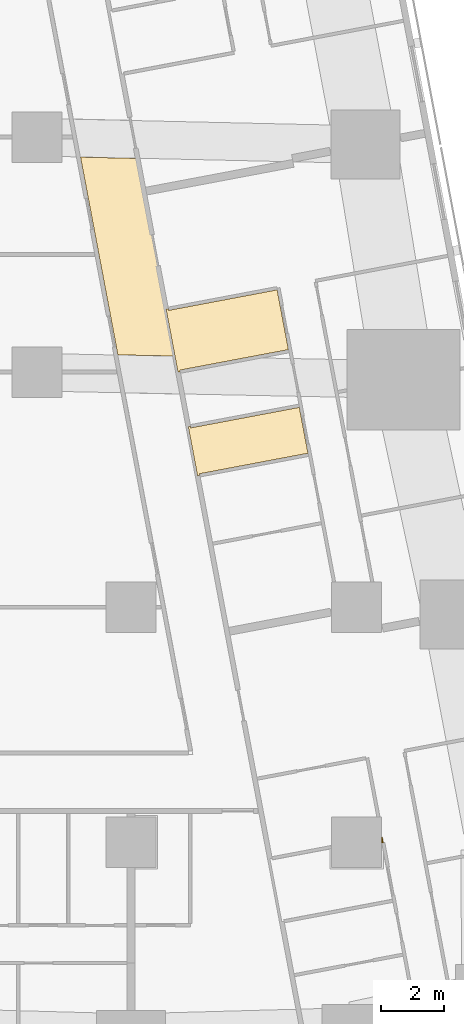
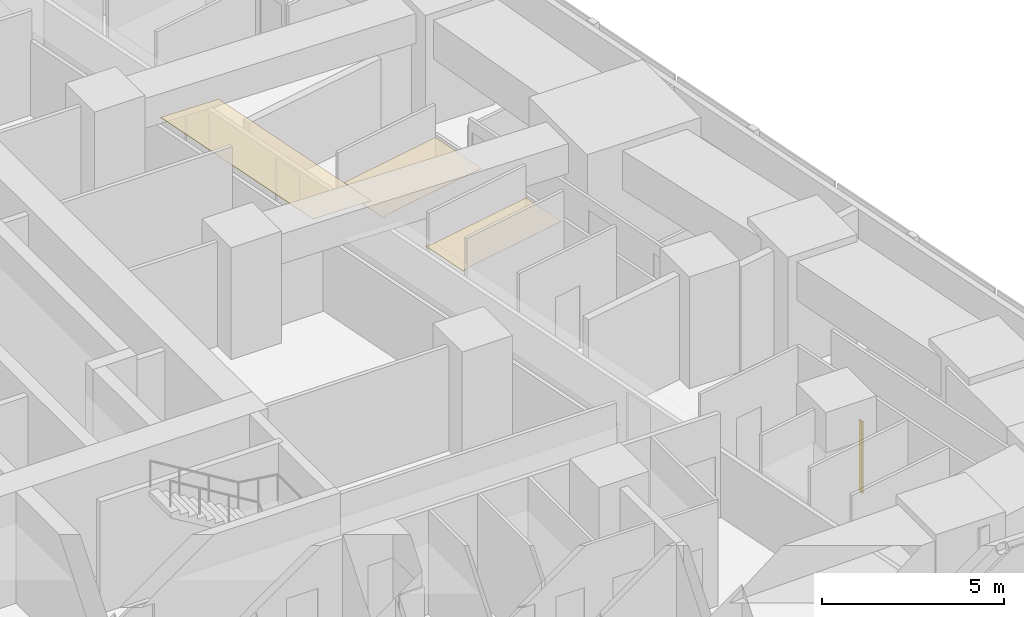
# One storey, part 15 of 16: 4 coverings.
"""IFC4 building model written with IfcOpenShell, lengths in metres."""

from ifc_helpers import new_model, si_unit, direction, frame, origin, place, context, subcontext, project, spatial, polyline, outline, extrude, material, layer, layer_set, type_object, element, save


model = new_model("IFC4")

# Units and contexts
model_context = context("Model", 3, precision=1e-05, world=origin(), true_north=direction((0.0, 1.0)))
body_context = subcontext(model_context, "Body", "Model", "MODEL_VIEW")
ifc_project = project(units=[si_unit("LENGTHUNIT", "METRE"), si_unit("AREAUNIT", "SQUARE_METRE"), si_unit("VOLUMEUNIT", "CUBIC_METRE"), si_unit("PLANEANGLEUNIT", "RADIAN"), si_unit("MASSUNIT", "GRAM", prefix="KILO")], contexts=[model_context])

# Site, building, storey
site_placement = place(None, origin())
site = spatial("IfcSite", under=ifc_project, at=site_placement, CompositionType="ELEMENT")
building_placement = place(site_placement, origin())
building = spatial("IfcBuilding", under=site, at=building_placement, Name="Sheger Commons Tower", CompositionType="ELEMENT")
storey_placement = place(building_placement, frame((0.0, 0.0, 92.89990234375)))
storey = spatial("IfcBuildingStorey", under=building, at=storey_placement, Name="L23", CompositionType="ELEMENT", Elevation=92.89990234375)

# Coverings
ifc_material_1 = material(Name="Moisture-resistant gypsum plasterboard 15 mm on a suspended galvanised steel grid", Category="steel")
ifc_layer_1 = layer(ifc_material_1, 0.014892578125)
ifc_layer_set_1 = layer_set([ifc_layer_1], Name="MOISTURE-RESISTANT CEILING 15")
covering_type_1 = type_object("IfcCoveringType", Name="MOISTURE-RESISTANT CEILING 15", PredefinedType="CEILING", material=ifc_layer_set_1)
covering_1_placement = place(storey_placement, frame((0.0, 0.0, 2.400146484375)))
element("IfcCovering", 1, at=covering_1_placement, inside=storey, type_object=covering_type_1, Name="L23-10.B1 ceiling", PredefinedType="CEILING", context=body_context, shape_type="SweptSolid", body=[
    extrude(outline(polyline([(37.5, 22.5), (37.568115234375, 22.512939453125), (37.55810546875, 22.56689453125), (41.02197265625, 23.220947265625), (40.662109375, 25.1279296875), (37.197998046875, 24.472900390625), (37.18798828125, 24.527099609375), (37.118896484375, 24.513916015625), (37.5, 22.5)])), origin(), (0.0, 0.0, 1.0), 0.014892578125),
])
covering_2_placement = place(storey_placement, frame((0.0, 0.0, 2.400146484375)))
element("IfcCovering", 2, at=covering_2_placement, inside=storey, type_object=covering_type_1, Name="L23-10.B2 ceiling", PredefinedType="CEILING", context=body_context, shape_type="SweptSolid", body=[
    extrude(outline(polyline([(38.1240234375, 19.193115234375), (38.193115234375, 19.2060546875), (38.18310546875, 19.259033203125), (41.64697265625, 19.9140625), (41.3701171875, 21.3779296875), (37.906005859375, 20.72412109375), (37.89599609375, 20.778076171875), (37.826904296875, 20.764892578125), (38.1240234375, 19.193115234375)])), origin(), (0.0, 0.0, 1.0), 0.014892578125),
])
ifc_material_2 = material(Name="Gypsum plasterboard 15 mm on a suspended steel grid", Category="steel")
ifc_layer_2 = layer(ifc_material_2, 0.014892578125)
ifc_layer_set_2 = layer_set([ifc_layer_2], Name="SUSPENDED CEILING 15")
covering_type_2 = type_object("IfcCoveringType", Name="SUSPENDED CEILING 15", PredefinedType="CEILING", material=ifc_layer_set_2)
covering_3_placement = place(storey_placement, frame((0.0, 0.0, 2.7001953125)))
element("IfcCovering", 3, at=covering_3_placement, inside=storey, type_object=covering_type_2, Name="L23-CO ceiling", PredefinedType="CEILING", context=body_context, shape_type="SweptSolid", body=[
    extrude(outline(polyline([(37.402099609375, 23.01611328125), (36.2109375, 29.322021484375), (34.388916015625, 29.363037109375), (35.5810546875, 23.052978515625), (37.402099609375, 23.01611328125)])), origin(), (0.0, 0.0, 1.0), 0.014892578125),
])
ifc_material_3 = material(Name="Moisture-resistant gypsum board 12.5 mm on 25 mm treated timber battens, tanked and tiled", Category="wood")
ifc_layer_3 = layer(ifc_material_3, 0.050048828125)
ifc_layer_set_3 = layer_set([ifc_layer_3], Name="WET-ROOM COLUMN LINING")
covering_type_3 = type_object("IfcCoveringType", Name="WET-ROOM COLUMN LINING", PredefinedType="CLADDING", material=ifc_layer_set_3)
covering_4_placement = place(storey_placement, origin())
element("IfcCovering", 4, at=covering_4_placement, inside=storey, type_object=covering_type_3, Name="Bathroom column lining C9 L23", PredefinedType="CLADDING", context=body_context, shape_type="SweptSolid", body=[
    extrude(outline(polyline([(44.0, 7.652099609375), (44.01806640625, 7.655029296875), (44.049072265625, 7.489990234375), (44.0, 7.48095703125), (44.0, 7.652099609375)])), origin(), (0.0, 0.0, 1.0), 2.400146484375),
])

save(model, "model.ifc")
